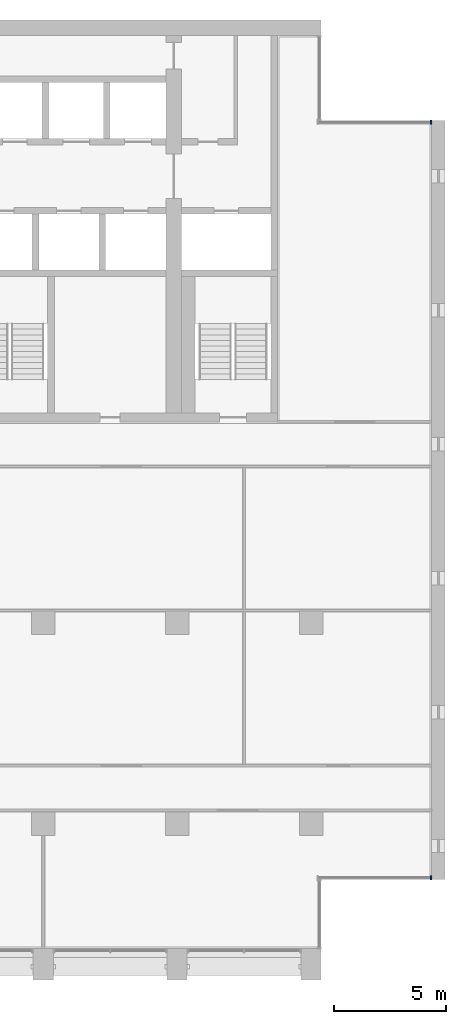
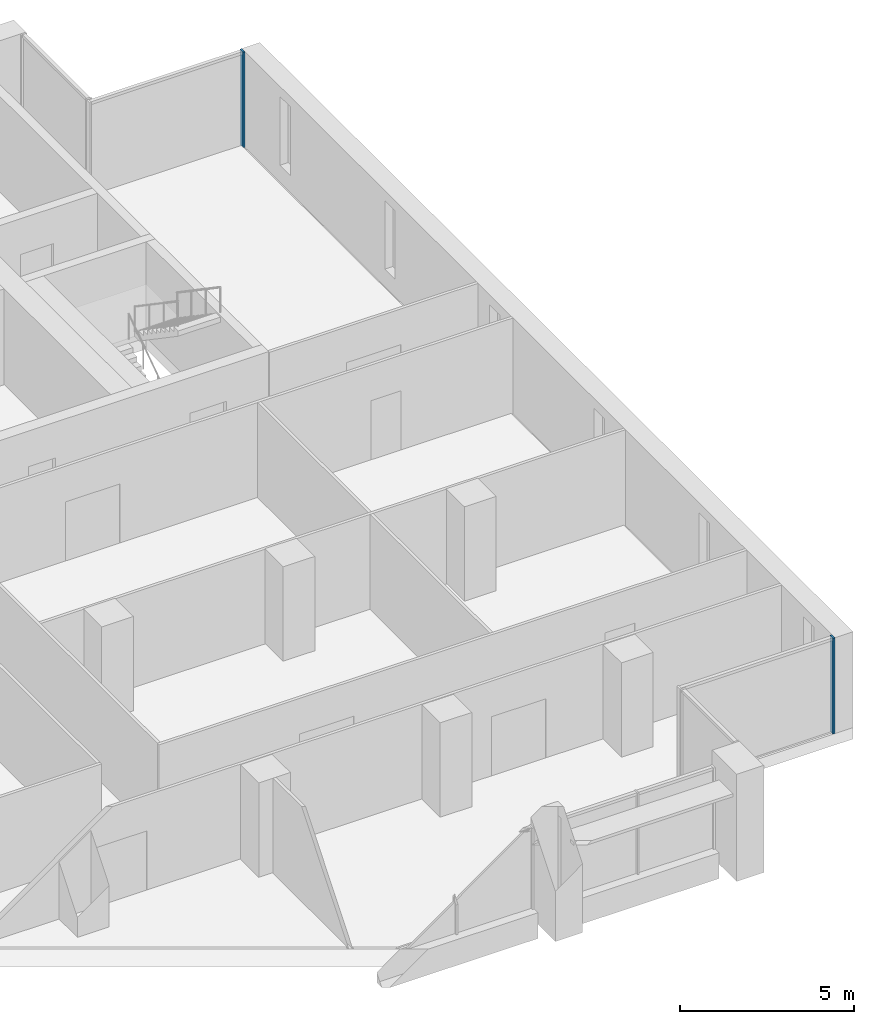
# One storey, part 6 of 17: 2 members, 2 elements without a shape of their own.
"""IFC4 building model written with IfcOpenShell, lengths in metres."""

from ifc_helpers import new_model, si_unit, direction, frame, origin, origin_2d, place, context, subcontext, project, spatial, rectangle, extrude, material, material_profile, profile_set, type_object, element, aggregate, save


model = new_model("IFC4")

# Units and contexts
model_context = context("Model", 3, precision=1e-05, world=origin(), true_north=direction((0.0, 1.0)))
body_context = subcontext(model_context, "Body", "Model", "MODEL_VIEW")
ifc_project = project(units=[si_unit("LENGTHUNIT", "METRE"), si_unit("AREAUNIT", "SQUARE_METRE"), si_unit("VOLUMEUNIT", "CUBIC_METRE"), si_unit("PLANEANGLEUNIT", "RADIAN"), si_unit("MASSUNIT", "GRAM", prefix="KILO")], contexts=[model_context])

# Site, building, storey
site_placement = place(None, origin())
site = spatial("IfcSite", under=ifc_project, at=site_placement, CompositionType="ELEMENT")
building_placement = place(site_placement, origin())
building = spatial("IfcBuilding", under=site, at=building_placement, Name="Calvaro Tower", CompositionType="ELEMENT")
storey_placement = place(building_placement, frame((0.0, 0.0, 208.0)))
storey = spatial("IfcBuildingStorey", under=building, at=storey_placement, Name="L52", CompositionType="ELEMENT", Elevation=208.0)

# Curtain wall, member
ifc_material_1 = material(Name="Anodised aluminium", Category="aluminium")
curtain_wall_type = type_object("IfcCurtainWallType", Name="Office curtain wall, upper zone", PredefinedType="NOTDEFINED", material=ifc_material_1)
curtain_wall_1_placement = place(storey_placement, origin())
curtain_wall_1 = element("IfcCurtainWall", 1, at=curtain_wall_1_placement, inside=storey, type_object=curtain_wall_type, Name="CW3 corner curtain wall", PredefinedType="NOTDEFINED")
ifc_material_2 = material(Name="Anodised aluminium", Category="aluminium")
ifc_material_profile = material_profile(ifc_material_2, rectangle(XDim=0.179931640625, YDim=0.06005859375, at=origin_2d()), Name="Mullion S3 60 x 180")
ifc_profile_set = profile_set([ifc_material_profile], Name="Anodised aluminium")
member_type = type_object("IfcMemberType", Name="Mullion S3 60 x 180", PredefinedType="MULLION", material=ifc_profile_set)
member_1_placement = place(storey_placement, frame((71.3701171875, 7.590087890625, 0.0), z_axis=(0.0, 0.0, 1.0), x_axis=(0.0, 1.0, 0.0)))
member_1 = element("IfcMember", 2, at=member_1_placement, type_object=member_type, Name="CW3 mullion 2", PredefinedType="MULLION", context=body_context, shape_type="SweptSolid", body=[
    extrude(rectangle(XDim=0.179931640625, YDim=0.06005859375, at=origin_2d()), origin(), (0.0, 0.0, 1.0), 3.35009765625),
])
aggregate(curtain_wall_1, [member_1])

curtain_wall_2_placement = place(storey_placement, origin())
curtain_wall_2 = element("IfcCurtainWall", 3, at=curtain_wall_2_placement, inside=storey, type_object=curtain_wall_type, Name="CW3 corner curtain wall", PredefinedType="NOTDEFINED")
member_2_placement = place(storey_placement, frame((71.3701171875, 41.409912109375, 0.0), z_axis=(0.0, 0.0, 1.0), x_axis=(0.0, 1.0, 0.0)))
member_2 = element("IfcMember", 4, at=member_2_placement, type_object=member_type, Name="CW3 mullion 2", PredefinedType="MULLION", context=body_context, shape_type="SweptSolid", body=[
    extrude(rectangle(XDim=0.179931640625, YDim=0.06005859375, at=origin_2d()), origin(), (0.0, 0.0, 1.0), 3.35009765625),
])
aggregate(curtain_wall_2, [member_2])

save(model, "model.ifc")
